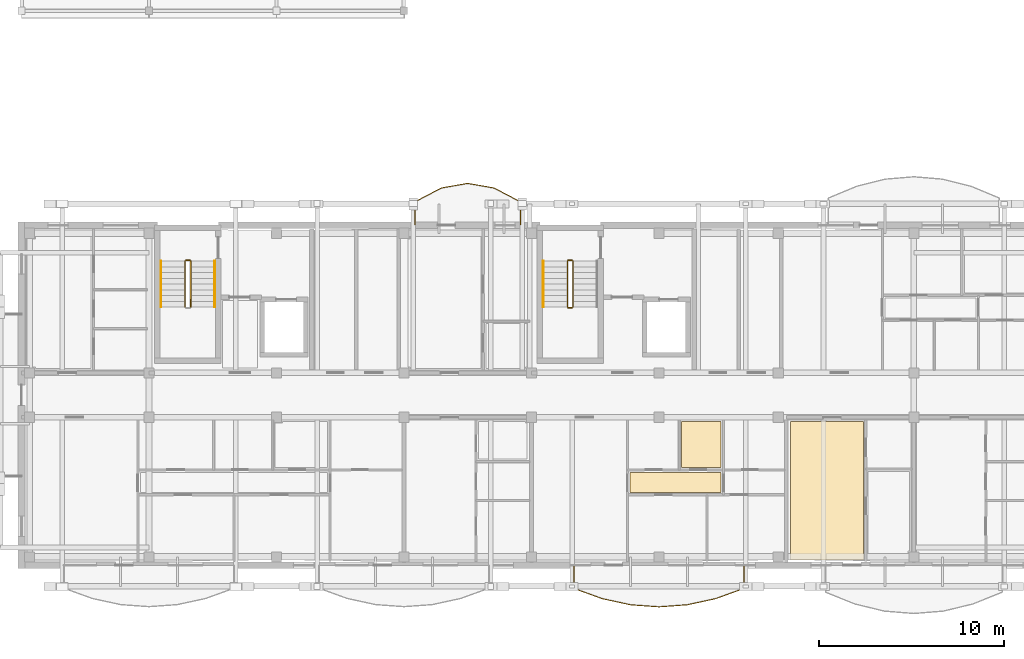
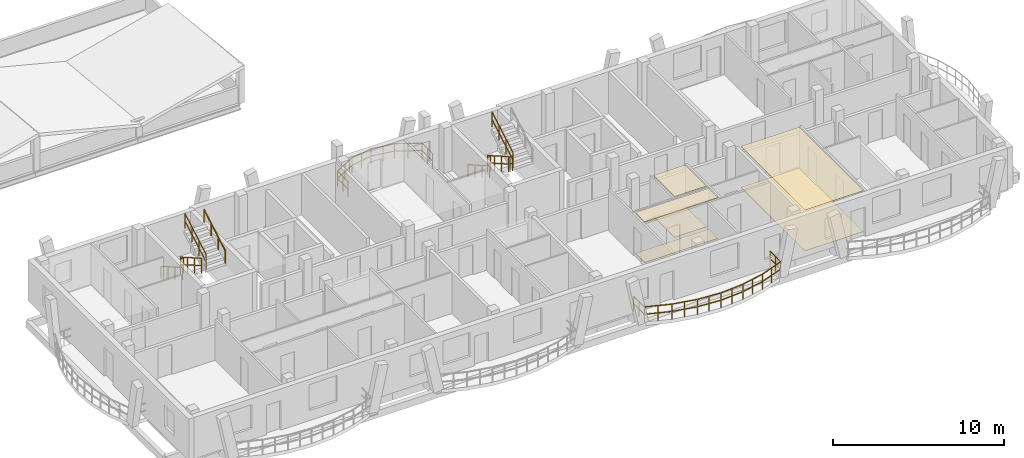
# One storey, part 40 of 50: 12 railings, 6 coverings.
"""IFC4 building model written with IfcOpenShell, lengths in metres."""

from ifc_helpers import new_model, si_unit, direction, frame, origin, origin_2d, place, context, subcontext, project, spatial, polyline, rectangle, outline, extrude, material, layer, layer_set, type_object, element, save


model = new_model("IFC4")

# Units and contexts
model_context = context("Model", 3, precision=1e-05, world=origin(), true_north=direction((0.0, 1.0)))
body_context = subcontext(model_context, "Body", "Model", "MODEL_VIEW")
ifc_project = project(units=[si_unit("LENGTHUNIT", "METRE"), si_unit("AREAUNIT", "SQUARE_METRE"), si_unit("VOLUMEUNIT", "CUBIC_METRE"), si_unit("PLANEANGLEUNIT", "RADIAN"), si_unit("MASSUNIT", "GRAM", prefix="KILO")], contexts=[model_context])

# Site, building, storey
site_placement = place(None, origin())
site = spatial("IfcSite", under=ifc_project, at=site_placement, CompositionType="ELEMENT")
building_placement = place(site_placement, origin())
building = spatial("IfcBuilding", under=site, at=building_placement, Name="Zavelmont Quarter", CompositionType="ELEMENT")
storey_placement = place(building_placement, frame((0.0, 0.0, 11.199951171875)))
storey = spatial("IfcBuildingStorey", under=building, at=storey_placement, Name="L03", CompositionType="ELEMENT", Elevation=11.199951171875)

# Coverings
ifc_material_1 = material(Name="Perforated acoustic gypsum board")
ifc_layer_1 = layer(ifc_material_1, 0.02490234375)
ifc_layer_set_1 = layer_set([ifc_layer_1], Name="Perforated acoustic gypsum board")
covering_type_1 = type_object("IfcCoveringType", Name="CV-CL01", PredefinedType="CEILING", material=ifc_layer_set_1)
covering_1_placement = place(storey_placement, frame((0.0, 0.0, 2.9150390625)))
element("IfcCovering", 1, at=covering_1_placement, inside=storey, type_object=covering_type_1, Name="L03 Residents Study Lounge acoustic ceiling", PredefinedType="CEILING", context=body_context, shape_type="SweptSolid", body=[
    extrude(outline(polyline([(41.6298828125, 7.77001953125), (45.570068359375, 7.77001953125), (45.570068359375, 0.280029296875), (41.6298828125, 0.280029296875), (41.6298828125, 7.77001953125)])), origin(), (0.0, 0.0, 1.0), 0.02490234375),
])
ifc_material_2 = material(Name="Slatted European ash acoustic baffle ceiling")
ifc_layer_2 = layer(ifc_material_2, 0.0400390625)
ifc_layer_set_2 = layer_set([ifc_layer_2], Name="Slatted European ash acoustic baffle ceiling")
covering_type_2 = type_object("IfcCoveringType", Name="CV-CL02", PredefinedType="CEILING", material=ifc_layer_set_2)
covering_2_placement = place(storey_placement, frame((0.0, 0.0, 2.900146484375)))
element("IfcCovering", 2, at=covering_2_placement, inside=storey, type_object=covering_type_2, Name="L03 Apartment Hall acoustic ceiling", PredefinedType="CEILING", context=body_context, shape_type="SweptSolid", body=[
    extrude(outline(polyline([(32.929931640625, 5.02001953125), (37.8701171875, 5.02001953125), (37.8701171875, 3.929931640625), (32.929931640625, 3.929931640625), (32.929931640625, 5.02001953125)])), origin(), (0.0, 0.0, 1.0), 0.039794921875),
])
ifc_material_3 = material(Name="Moisture-resistant painted gypsum ceiling")
ifc_layer_3 = layer(ifc_material_3, 0.02001953125)
ifc_layer_set_3 = layer_set([ifc_layer_3], Name="Moisture-resistant painted gypsum ceiling")
covering_type_3 = type_object("IfcCoveringType", Name="CV-CL04", PredefinedType="CEILING", material=ifc_layer_set_3)
covering_3_placement = place(storey_placement, frame((0.0, 0.0, 2.920166015625)))
element("IfcCovering", 3, at=covering_3_placement, inside=storey, type_object=covering_type_3, Name="L03 Bathroom acoustic ceiling", PredefinedType="CEILING", context=body_context, shape_type="SweptSolid", body=[
    extrude(outline(polyline([(35.72998046875, 7.77001953125), (37.8701171875, 7.77001953125), (37.8701171875, 5.280029296875), (35.72998046875, 5.280029296875), (35.72998046875, 7.77001953125)])), origin(), (0.0, 0.0, 1.0), 0.019775390625),
])
ifc_material_4 = material(Name="Engineered European oak parquet")
ifc_layer_4 = layer(ifc_material_4, 0.02197265625)
ifc_layer_set_4 = layer_set([ifc_layer_4], Name="Engineered European oak parquet")
covering_type_4 = type_object("IfcCoveringType", Name="CV-FL01", PredefinedType="FLOORING", material=ifc_layer_set_4)
covering_4_placement = place(storey_placement, origin())
element("IfcCovering", 4, at=covering_4_placement, inside=storey, type_object=covering_type_4, Name="L03 Residents Study Lounge floor finish", PredefinedType="FLOORING", context=body_context, shape_type="SweptSolid", body=[
    extrude(outline(polyline([(41.6298828125, 7.77001953125), (45.570068359375, 7.77001953125), (45.570068359375, 0.280029296875), (41.6298828125, 0.280029296875), (41.6298828125, 7.77001953125)])), origin(), (0.0, 0.0, 1.0), 0.02197265625),
])
ifc_material_5 = material(Name="Honed Belgian bluestone tile", Category="masonry")
ifc_layer_5 = layer(ifc_material_5, 0.030029296875)
ifc_layer_set_5 = layer_set([ifc_layer_5], Name="Honed Belgian bluestone tile")
covering_type_5 = type_object("IfcCoveringType", Name="CV-FL02", PredefinedType="FLOORING", material=ifc_layer_set_5)
covering_5_placement = place(storey_placement, origin())
element("IfcCovering", 5, at=covering_5_placement, inside=storey, type_object=covering_type_5, Name="L03 Apartment Hall floor finish", PredefinedType="FLOORING", context=body_context, shape_type="SweptSolid", body=[
    extrude(outline(polyline([(32.929931640625, 5.02001953125), (37.8701171875, 5.02001953125), (37.8701171875, 3.929931640625), (32.929931640625, 3.929931640625), (32.929931640625, 5.02001953125)])), origin(), (0.0, 0.0, 1.0), 0.030029296875),
])
ifc_material_6 = material(Name="Slip-resistant porcelain tile")
ifc_layer_6 = layer(ifc_material_6, 0.02587890625)
ifc_layer_set_6 = layer_set([ifc_layer_6], Name="Slip-resistant porcelain tile")
covering_type_6 = type_object("IfcCoveringType", Name="CV-FL04", PredefinedType="FLOORING", material=ifc_layer_set_6)
covering_6_placement = place(storey_placement, origin())
element("IfcCovering", 6, at=covering_6_placement, inside=storey, type_object=covering_type_6, Name="L03 Bathroom floor finish", PredefinedType="FLOORING", context=body_context, shape_type="SweptSolid", body=[
    extrude(outline(polyline([(35.72998046875, 7.77001953125), (37.8701171875, 7.77001953125), (37.8701171875, 5.280029296875), (35.72998046875, 5.280029296875), (35.72998046875, 7.77001953125)])), origin(), (0.0, 0.0, 1.0), 0.026123046875),
])

# Railings
ifc_material_7 = material(Name="Powder-coated steel and tempered double safety glass", Category="steel")
railing_type_1 = type_object("IfcRailingType", Name="RL-BAL1", PredefinedType="BALUSTRADE", material=ifc_material_7)
railing_1_placement = place(storey_placement, frame((29.90283203125, -0.02001953125, 0.0)))
element("IfcRailing", 7, at=railing_1_placement, inside=storey, type_object=railing_type_1, Name="L03 Block A curved balcony guard RL-BAL1", PredefinedType="BALUSTRADE", context=body_context, shape_type="SweptSolid", body=[
    extrude(rectangle(XDim=0.048095703125, YDim=0.048095703125, at=origin_2d()), frame((0.0, 0.0, 1.076171875), z_axis=(0.0, -1.0, 0.0), x_axis=(1.0, 0.0, 0.0)), (0.0, 0.0, 1.0), 1.24658203125),
    extrude(rectangle(XDim=0.048095703125, YDim=0.048095703125, at=origin_2d()), frame((0.0, 0.0, 0.550048828125), z_axis=(0.0, -1.0, 0.0), x_axis=(1.0, 0.0, 0.0)), (0.0, 0.0, 1.0), 1.24658203125),
    extrude(rectangle(XDim=0.048095703125, YDim=0.048095703125, at=origin_2d()), frame((0.0, -1.24658203125, 1.076171875), z_axis=(0.940634988502, -0.339419826184, 0.0), x_axis=(0.339419826184, 0.940634988502, 0.0)), (0.0, 0.0, 1.0), 1.629150390625),
    extrude(rectangle(XDim=0.048095703125, YDim=0.048095703125, at=origin_2d()), frame((0.0, -1.24658203125, 0.550048828125), z_axis=(0.940634988502, -0.339419826184, 0.0), x_axis=(0.339419826184, 0.940634988502, 0.0)), (0.0, 0.0, 1.0), 1.629150390625),
    extrude(rectangle(XDim=0.048095703125, YDim=0.048095703125, at=origin_2d()), frame((1.532470703125, -1.799560546875, 1.076171875), z_axis=(0.97734891529, -0.211634349248, 0.0), x_axis=(0.211634349248, 0.97734891529, 0.0)), (0.0, 0.0, 1.0), 1.567626953125),
    extrude(rectangle(XDim=0.048095703125, YDim=0.048095703125, at=origin_2d()), frame((1.532470703125, -1.799560546875, 0.550048828125), z_axis=(0.97734891529, -0.211634349248, 0.0), x_axis=(0.211634349248, 0.97734891529, 0.0)), (0.0, 0.0, 1.0), 1.567626953125),
    extrude(rectangle(XDim=0.048095703125, YDim=0.048095703125, at=origin_2d()), frame((3.064697265625, -2.13134765625, 1.076171875), z_axis=(0.997406001322, -0.071981028931, 0.0), x_axis=(0.071981028931, 0.997406001322, 0.0)), (0.0, 0.0, 1.0), 1.536376953125),
    extrude(rectangle(XDim=0.048095703125, YDim=0.048095703125, at=origin_2d()), frame((3.064697265625, -2.13134765625, 0.550048828125), z_axis=(0.997406001322, -0.071981028931, 0.0), x_axis=(0.071981028931, 0.997406001322, 0.0)), (0.0, 0.0, 1.0), 1.536376953125),
    extrude(rectangle(XDim=0.048095703125, YDim=0.048095703125, at=origin_2d()), frame((4.59716796875, -2.241943359375, 1.076171875), z_axis=(0.997406001322, 0.071981028931, 0.0), x_axis=(-0.071981028931, 0.997406001322, 0.0)), (0.0, 0.0, 1.0), 1.536376953125),
    extrude(rectangle(XDim=0.048095703125, YDim=0.048095703125, at=origin_2d()), frame((4.59716796875, -2.241943359375, 0.550048828125), z_axis=(0.997406001322, 0.071981028931, 0.0), x_axis=(-0.071981028931, 0.997406001322, 0.0)), (0.0, 0.0, 1.0), 1.536376953125),
    extrude(rectangle(XDim=0.048095703125, YDim=0.048095703125, at=origin_2d()), frame((6.129638671875, -2.13134765625, 1.076171875), z_axis=(0.97734891529, 0.211634349248, 0.0), x_axis=(-0.211634349248, 0.97734891529, 0.0)), (0.0, 0.0, 1.0), 1.567626953125),
    extrude(rectangle(XDim=0.048095703125, YDim=0.048095703125, at=origin_2d()), frame((6.129638671875, -2.13134765625, 0.550048828125), z_axis=(0.97734891529, 0.211634349248, 0.0), x_axis=(-0.211634349248, 0.97734891529, 0.0)), (0.0, 0.0, 1.0), 1.567626953125),
    extrude(rectangle(XDim=0.048095703125, YDim=0.048095703125, at=origin_2d()), frame((7.661865234375, -1.799560546875, 1.076171875), z_axis=(0.940634988502, 0.339419826184, 0.0), x_axis=(-0.339419826184, 0.940634988502, 0.0)), (0.0, 0.0, 1.0), 1.629150390625),
    extrude(rectangle(XDim=0.048095703125, YDim=0.048095703125, at=origin_2d()), frame((7.661865234375, -1.799560546875, 0.550048828125), z_axis=(0.940634988502, 0.339419826184, 0.0), x_axis=(-0.339419826184, 0.940634988502, 0.0)), (0.0, 0.0, 1.0), 1.629150390625),
    extrude(rectangle(XDim=0.048095703125, YDim=0.048095703125, at=origin_2d()), frame((9.1943359375, -1.24658203125, 1.076171875), z_axis=(0.0, 1.0, 0.0), x_axis=(-1.0, 0.0, 0.0)), (0.0, 0.0, 1.0), 1.24658203125),
    extrude(rectangle(XDim=0.048095703125, YDim=0.048095703125, at=origin_2d()), frame((9.1943359375, -1.24658203125, 0.550048828125), z_axis=(0.0, 1.0, 0.0), x_axis=(-1.0, 0.0, 0.0)), (0.0, 0.0, 1.0), 1.24658203125),
    extrude(rectangle(XDim=0.0419921875, YDim=0.0419921875, at=origin_2d()), origin(), (0.0, 0.0, 1.0), 1.052001953125),
    extrude(rectangle(XDim=0.0419921875, YDim=0.0419921875, at=origin_2d()), frame((0.0, -0.623291015625, 0.0)), (0.0, 0.0, 1.0), 1.052001953125),
    extrude(rectangle(XDim=0.0419921875, YDim=0.0419921875, at=origin_2d()), frame((0.0, -1.24658203125, 0.0)), (0.0, 0.0, 1.0), 1.052001953125),
    extrude(rectangle(XDim=0.0419921875, YDim=0.0419921875, at=origin_2d()), frame((0.76611328125, -1.52294921875, 0.0)), (0.0, 0.0, 1.0), 1.052001953125),
    extrude(rectangle(XDim=0.0419921875, YDim=0.0419921875, at=origin_2d()), frame((1.532470703125, -1.799560546875, 0.0)), (0.0, 0.0, 1.0), 1.052001953125),
    extrude(rectangle(XDim=0.0419921875, YDim=0.0419921875, at=origin_2d()), frame((2.298583984375, -1.96533203125, 0.0)), (0.0, 0.0, 1.0), 1.052001953125),
    extrude(rectangle(XDim=0.0419921875, YDim=0.0419921875, at=origin_2d()), frame((3.064697265625, -2.13134765625, 0.0)), (0.0, 0.0, 1.0), 1.052001953125),
    extrude(rectangle(XDim=0.0419921875, YDim=0.0419921875, at=origin_2d()), frame((3.8310546875, -2.1865234375, 0.0)), (0.0, 0.0, 1.0), 1.052001953125),
    extrude(rectangle(XDim=0.0419921875, YDim=0.0419921875, at=origin_2d()), frame((4.59716796875, -2.241943359375, 0.0)), (0.0, 0.0, 1.0), 1.052001953125),
    extrude(rectangle(XDim=0.0419921875, YDim=0.0419921875, at=origin_2d()), frame((5.36328125, -2.1865234375, 0.0)), (0.0, 0.0, 1.0), 1.052001953125),
    extrude(rectangle(XDim=0.0419921875, YDim=0.0419921875, at=origin_2d()), frame((6.129638671875, -2.13134765625, 0.0)), (0.0, 0.0, 1.0), 1.052001953125),
    extrude(rectangle(XDim=0.0419921875, YDim=0.0419921875, at=origin_2d()), frame((6.895751953125, -1.96533203125, 0.0)), (0.0, 0.0, 1.0), 1.052001953125),
    extrude(rectangle(XDim=0.0419921875, YDim=0.0419921875, at=origin_2d()), frame((7.661865234375, -1.799560546875, 0.0)), (0.0, 0.0, 1.0), 1.052001953125),
    extrude(rectangle(XDim=0.0419921875, YDim=0.0419921875, at=origin_2d()), frame((8.42822265625, -1.52294921875, 0.0)), (0.0, 0.0, 1.0), 1.052001953125),
    extrude(rectangle(XDim=0.0419921875, YDim=0.0419921875, at=origin_2d()), frame((9.1943359375, -1.24658203125, 0.0)), (0.0, 0.0, 1.0), 1.052001953125),
    extrude(rectangle(XDim=0.0419921875, YDim=0.0419921875, at=origin_2d()), frame((9.1943359375, -0.623291015625, 0.0)), (0.0, 0.0, 1.0), 1.052001953125),
    extrude(rectangle(XDim=0.0419921875, YDim=0.0419921875, at=origin_2d()), frame((9.1943359375, 0.0, 0.0)), (0.0, 0.0, 1.0), 1.052001953125),
])
railing_2_placement = place(storey_placement, frame((27.0, 18.419921875, 0.0)))
element("IfcRailing", 8, at=railing_2_placement, inside=storey, type_object=railing_type_1, Name="L03 Block A curved balcony guard RL-BAL1", PredefinedType="BALUSTRADE", context=body_context, shape_type="SweptSolid", body=[
    extrude(rectangle(XDim=0.048095703125, YDim=0.048095703125, at=origin_2d()), frame((0.0, 0.0, 1.076171875), z_axis=(0.0, 1.0, 0.0), x_axis=(-1.0, 0.0, 0.0)), (0.0, 0.0, 1.0), 1.246826171875),
    extrude(rectangle(XDim=0.048095703125, YDim=0.048095703125, at=origin_2d()), frame((0.0, 0.0, 0.550048828125), z_axis=(0.0, 1.0, 0.0), x_axis=(-1.0, 0.0, 0.0)), (0.0, 0.0, 1.0), 1.246826171875),
    extrude(rectangle(XDim=0.048095703125, YDim=0.048095703125, at=origin_2d()), frame((0.0, 1.246826171875, 1.076171875), z_axis=(-0.885861238658, 0.463950283806, 0.0), x_axis=(-0.463950283806, -0.885861238658, 0.0)), (0.0, 0.0, 1.0), 1.608642578125),
    extrude(rectangle(XDim=0.048095703125, YDim=0.048095703125, at=origin_2d()), frame((0.0, 1.246826171875, 0.550048828125), z_axis=(-0.885861238658, 0.463950283806, 0.0), x_axis=(-0.463950283806, -0.885861238658, 0.0)), (0.0, 0.0, 1.0), 1.608642578125),
    extrude(rectangle(XDim=0.048095703125, YDim=0.048095703125, at=origin_2d()), frame((-1.425048828125, 1.9931640625, 1.076171875), z_axis=(-0.985072705183, 0.172138797205, 0.0), x_axis=(-0.172138797205, -0.985072705183, 0.0)), (0.0, 0.0, 1.0), 1.446533203125),
    extrude(rectangle(XDim=0.048095703125, YDim=0.048095703125, at=origin_2d()), frame((-1.425048828125, 1.9931640625, 0.550048828125), z_axis=(-0.985072705183, 0.172138797205, 0.0), x_axis=(-0.172138797205, -0.985072705183, 0.0)), (0.0, 0.0, 1.0), 1.446533203125),
    extrude(rectangle(XDim=0.048095703125, YDim=0.048095703125, at=origin_2d()), frame((-2.85009765625, 2.2421875, 1.076171875), z_axis=(-0.985067703175, -0.172167418992, 0.0), x_axis=(0.172167418992, -0.985067703175, 0.0)), (0.0, 0.0, 1.0), 1.4462890625),
    extrude(rectangle(XDim=0.048095703125, YDim=0.048095703125, at=origin_2d()), frame((-2.85009765625, 2.2421875, 0.550048828125), z_axis=(-0.985067703175, -0.172167418992, 0.0), x_axis=(0.172167418992, -0.985067703175, 0.0)), (0.0, 0.0, 1.0), 1.4462890625),
    extrude(rectangle(XDim=0.048095703125, YDim=0.048095703125, at=origin_2d()), frame((-4.27490234375, 1.9931640625, 1.076171875), z_axis=(-0.885861238658, -0.463950283806, 0.0), x_axis=(0.463950283806, -0.885861238658, 0.0)), (0.0, 0.0, 1.0), 1.608642578125),
    extrude(rectangle(XDim=0.048095703125, YDim=0.048095703125, at=origin_2d()), frame((-4.27490234375, 1.9931640625, 0.550048828125), z_axis=(-0.885861238658, -0.463950283806, 0.0), x_axis=(0.463950283806, -0.885861238658, 0.0)), (0.0, 0.0, 1.0), 1.608642578125),
    extrude(rectangle(XDim=0.048095703125, YDim=0.048095703125, at=origin_2d()), frame((-5.699951171875, 1.246826171875, 1.076171875), z_axis=(0.0, -1.0, 0.0), x_axis=(1.0, 0.0, 0.0)), (0.0, 0.0, 1.0), 1.246826171875),
    extrude(rectangle(XDim=0.048095703125, YDim=0.048095703125, at=origin_2d()), frame((-5.699951171875, 1.246826171875, 0.550048828125), z_axis=(0.0, -1.0, 0.0), x_axis=(1.0, 0.0, 0.0)), (0.0, 0.0, 1.0), 1.246826171875),
    extrude(rectangle(XDim=0.0419921875, YDim=0.0419921875, at=origin_2d()), origin(), (0.0, 0.0, 1.0), 1.052001953125),
    extrude(rectangle(XDim=0.0419921875, YDim=0.0419921875, at=origin_2d()), frame((0.0, 0.62353515625, 0.0)), (0.0, 0.0, 1.0), 1.052001953125),
    extrude(rectangle(XDim=0.0419921875, YDim=0.0419921875, at=origin_2d()), frame((0.0, 1.246826171875, 0.0)), (0.0, 0.0, 1.0), 1.052001953125),
    extrude(rectangle(XDim=0.0419921875, YDim=0.0419921875, at=origin_2d()), frame((-0.71240234375, 1.6201171875, 0.0)), (0.0, 0.0, 1.0), 1.052001953125),
    extrude(rectangle(XDim=0.0419921875, YDim=0.0419921875, at=origin_2d()), frame((-1.425048828125, 1.9931640625, 0.0)), (0.0, 0.0, 1.0), 1.052001953125),
    extrude(rectangle(XDim=0.0419921875, YDim=0.0419921875, at=origin_2d()), frame((-2.1376953125, 2.11767578125, 0.0)), (0.0, 0.0, 1.0), 1.052001953125),
    extrude(rectangle(XDim=0.0419921875, YDim=0.0419921875, at=origin_2d()), frame((-2.85009765625, 2.2421875, 0.0)), (0.0, 0.0, 1.0), 1.052001953125),
    extrude(rectangle(XDim=0.0419921875, YDim=0.0419921875, at=origin_2d()), frame((-3.5625, 2.11767578125, 0.0)), (0.0, 0.0, 1.0), 1.052001953125),
    extrude(rectangle(XDim=0.0419921875, YDim=0.0419921875, at=origin_2d()), frame((-4.27490234375, 1.9931640625, 0.0)), (0.0, 0.0, 1.0), 1.052001953125),
    extrude(rectangle(XDim=0.0419921875, YDim=0.0419921875, at=origin_2d()), frame((-4.9873046875, 1.6201171875, 0.0)), (0.0, 0.0, 1.0), 1.052001953125),
    extrude(rectangle(XDim=0.0419921875, YDim=0.0419921875, at=origin_2d()), frame((-5.699951171875, 1.246826171875, 0.0)), (0.0, 0.0, 1.0), 1.052001953125),
    extrude(rectangle(XDim=0.0419921875, YDim=0.0419921875, at=origin_2d()), frame((-5.699951171875, 0.62353515625, 0.0)), (0.0, 0.0, 1.0), 1.052001953125),
    extrude(rectangle(XDim=0.0419921875, YDim=0.0419921875, at=origin_2d()), frame((-5.699951171875, 0.0, 0.0)), (0.0, 0.0, 1.0), 1.052001953125),
])
ifc_material_8 = material(Name="Powder-coated steel stair guardrail", Category="steel")
railing_type_2 = type_object("IfcRailingType", Name="RL-GRD1", PredefinedType="GUARDRAIL", material=ifc_material_8)
railing_3_placement = place(storey_placement, frame((8.85009765625, 16.449951171875, 0.177734375)))
element("IfcRailing", 9, at=railing_3_placement, inside=storey, type_object=railing_type_2, Name="L03 ST01 stair guardrail 1", PredefinedType="GUARDRAIL", context=body_context, shape_type="SweptSolid", body=[
    extrude(rectangle(XDim=0.048095703125, YDim=0.048095703125, at=origin_2d()), frame((0.0, 0.0, 1.076171875), z_axis=(0.0, -0.867453774394, 0.497517787913), x_axis=(1.0, 0.0, 0.0)), (0.0, 0.0, 1.0), 2.85888671875),
    extrude(rectangle(XDim=0.048095703125, YDim=0.048095703125, at=origin_2d()), frame((0.0, 0.0, 0.550048828125), z_axis=(0.0, -0.867453774394, 0.497517787913), x_axis=(1.0, 0.0, 0.0)), (0.0, 0.0, 1.0), 2.85888671875),
    extrude(rectangle(XDim=0.0419921875, YDim=0.0419921875, at=origin_2d()), origin(), (0.0, 0.0, 1.0), 1.052001953125),
    extrude(rectangle(XDim=0.0419921875, YDim=0.0419921875, at=origin_2d()), frame((0.0, -0.82666015625, 0.47412109375)), (0.0, 0.0, 1.0), 1.052001953125),
    extrude(rectangle(XDim=0.0419921875, YDim=0.0419921875, at=origin_2d()), frame((0.0, -1.6533203125, 0.9482421875)), (0.0, 0.0, 1.0), 1.052001953125),
    extrude(rectangle(XDim=0.0419921875, YDim=0.0419921875, at=origin_2d()), frame((0.0, -2.47998046875, 1.42236328125)), (0.0, 0.0, 1.0), 1.052001953125),
])
railing_4_placement = place(storey_placement, frame((9.14990234375, 13.969970703125, 1.77783203125)))
element("IfcRailing", 10, at=railing_4_placement, inside=storey, type_object=railing_type_2, Name="L03 ST01 stair guardrail 3", PredefinedType="GUARDRAIL", context=body_context, shape_type="SweptSolid", body=[
    extrude(rectangle(XDim=0.048095703125, YDim=0.048095703125, at=origin_2d()), frame((0.0, 0.0, 1.076171875), z_axis=(0.0, 0.867490628297, 0.497453525283), x_axis=(-1.0, 0.0, 0.0)), (0.0, 0.0, 1.0), 2.85888671875),
    extrude(rectangle(XDim=0.048095703125, YDim=0.048095703125, at=origin_2d()), frame((0.0, 0.0, 0.550048828125), z_axis=(0.0, 0.867490628297, 0.497453525283), x_axis=(-1.0, 0.0, 0.0)), (0.0, 0.0, 1.0), 2.85888671875),
    extrude(rectangle(XDim=0.0419921875, YDim=0.0419921875, at=origin_2d()), origin(), (0.0, 0.0, 1.0), 1.052001953125),
    extrude(rectangle(XDim=0.0419921875, YDim=0.0419921875, at=origin_2d()), frame((0.0, 0.82666015625, 0.47412109375)), (0.0, 0.0, 1.0), 1.052001953125),
    extrude(rectangle(XDim=0.0419921875, YDim=0.0419921875, at=origin_2d()), frame((0.0, 1.6533203125, 0.947998046875)), (0.0, 0.0, 1.0), 1.052001953125),
    extrude(rectangle(XDim=0.0419921875, YDim=0.0419921875, at=origin_2d()), frame((0.0, 2.47998046875, 1.422119140625)), (0.0, 0.0, 1.0), 1.052001953125),
])
railing_5_placement = place(storey_placement, frame((8.89990234375, 16.5, 0.0)))
element("IfcRailing", 11, at=railing_5_placement, inside=storey, type_object=railing_type_2, Name="L03 ST01 stair guardrail 4", PredefinedType="GUARDRAIL", context=body_context, shape_type="SweptSolid", body=[
    extrude(rectangle(XDim=0.048095703125, YDim=0.048095703125, at=origin_2d()), frame((0.0, 0.0, 1.076171875), z_axis=(1.0, 0.0, 0.0), x_axis=(0.0, 1.0, 0.0)), (0.0, 0.0, 1.0), 0.2001953125),
    extrude(rectangle(XDim=0.048095703125, YDim=0.048095703125, at=origin_2d()), frame((0.0, 0.0, 0.550048828125), z_axis=(1.0, 0.0, 0.0), x_axis=(0.0, 1.0, 0.0)), (0.0, 0.0, 1.0), 0.2001953125),
    extrude(rectangle(XDim=0.0419921875, YDim=0.0419921875, at=origin_2d()), origin(), (0.0, 0.0, 1.0), 1.052001953125),
    extrude(rectangle(XDim=0.0419921875, YDim=0.0419921875, at=origin_2d()), frame((0.2001953125, 0.0, 0.0)), (0.0, 0.0, 1.0), 1.052001953125),
])
railing_6_placement = place(storey_placement, frame((29.550048828125, 16.449951171875, 0.177734375)))
element("IfcRailing", 12, at=railing_6_placement, inside=storey, type_object=railing_type_2, Name="L03 ST02 stair guardrail 1", PredefinedType="GUARDRAIL", context=body_context, shape_type="SweptSolid", body=[
    extrude(rectangle(XDim=0.048095703125, YDim=0.048095703125, at=origin_2d()), frame((0.0, 0.0, 1.076171875), z_axis=(0.0, -0.867453774394, 0.497517787913), x_axis=(1.0, 0.0, 0.0)), (0.0, 0.0, 1.0), 2.85888671875),
    extrude(rectangle(XDim=0.048095703125, YDim=0.048095703125, at=origin_2d()), frame((0.0, 0.0, 0.550048828125), z_axis=(0.0, -0.867453774394, 0.497517787913), x_axis=(1.0, 0.0, 0.0)), (0.0, 0.0, 1.0), 2.85888671875),
    extrude(rectangle(XDim=0.0419921875, YDim=0.0419921875, at=origin_2d()), origin(), (0.0, 0.0, 1.0), 1.052001953125),
    extrude(rectangle(XDim=0.0419921875, YDim=0.0419921875, at=origin_2d()), frame((0.0, -0.82666015625, 0.47412109375)), (0.0, 0.0, 1.0), 1.052001953125),
    extrude(rectangle(XDim=0.0419921875, YDim=0.0419921875, at=origin_2d()), frame((0.0, -1.6533203125, 0.9482421875)), (0.0, 0.0, 1.0), 1.052001953125),
    extrude(rectangle(XDim=0.0419921875, YDim=0.0419921875, at=origin_2d()), frame((0.0, -2.47998046875, 1.42236328125)), (0.0, 0.0, 1.0), 1.052001953125),
])
railing_7_placement = place(storey_placement, frame((29.60009765625, 13.919921875, 1.60009765625)))
element("IfcRailing", 13, at=railing_7_placement, inside=storey, type_object=railing_type_2, Name="L03 ST02 stair guardrail 2", PredefinedType="GUARDRAIL", context=body_context, shape_type="SweptSolid", body=[
    extrude(rectangle(XDim=0.048095703125, YDim=0.048095703125, at=origin_2d()), frame((0.0, 0.0, 1.076171875), z_axis=(1.0, 0.0, 0.0), x_axis=(0.0, 1.0, 0.0)), (0.0, 0.0, 1.0), 0.199951171875),
    extrude(rectangle(XDim=0.048095703125, YDim=0.048095703125, at=origin_2d()), frame((0.0, 0.0, 0.550048828125), z_axis=(1.0, 0.0, 0.0), x_axis=(0.0, 1.0, 0.0)), (0.0, 0.0, 1.0), 0.199951171875),
    extrude(rectangle(XDim=0.0419921875, YDim=0.0419921875, at=origin_2d()), origin(), (0.0, 0.0, 1.0), 1.052001953125),
    extrude(rectangle(XDim=0.0419921875, YDim=0.0419921875, at=origin_2d()), frame((0.199951171875, 0.0, 0.0)), (0.0, 0.0, 1.0), 1.052001953125),
])
railing_8_placement = place(storey_placement, frame((29.85009765625, 13.969970703125, 1.77783203125)))
element("IfcRailing", 14, at=railing_8_placement, inside=storey, type_object=railing_type_2, Name="L03 ST02 stair guardrail 3", PredefinedType="GUARDRAIL", context=body_context, shape_type="SweptSolid", body=[
    extrude(rectangle(XDim=0.048095703125, YDim=0.048095703125, at=origin_2d()), frame((0.0, 0.0, 1.076171875), z_axis=(0.0, 0.867490628297, 0.497453525283), x_axis=(-1.0, 0.0, 0.0)), (0.0, 0.0, 1.0), 2.85888671875),
    extrude(rectangle(XDim=0.048095703125, YDim=0.048095703125, at=origin_2d()), frame((0.0, 0.0, 0.550048828125), z_axis=(0.0, 0.867490628297, 0.497453525283), x_axis=(-1.0, 0.0, 0.0)), (0.0, 0.0, 1.0), 2.85888671875),
    extrude(rectangle(XDim=0.0419921875, YDim=0.0419921875, at=origin_2d()), origin(), (0.0, 0.0, 1.0), 1.052001953125),
    extrude(rectangle(XDim=0.0419921875, YDim=0.0419921875, at=origin_2d()), frame((0.0, 0.82666015625, 0.47412109375)), (0.0, 0.0, 1.0), 1.052001953125),
    extrude(rectangle(XDim=0.0419921875, YDim=0.0419921875, at=origin_2d()), frame((0.0, 1.6533203125, 0.947998046875)), (0.0, 0.0, 1.0), 1.052001953125),
    extrude(rectangle(XDim=0.0419921875, YDim=0.0419921875, at=origin_2d()), frame((0.0, 2.47998046875, 1.422119140625)), (0.0, 0.0, 1.0), 1.052001953125),
])
railing_9_placement = place(storey_placement, frame((29.60009765625, 16.5, 0.0)))
element("IfcRailing", 15, at=railing_9_placement, inside=storey, type_object=railing_type_2, Name="L03 ST02 stair guardrail 4", PredefinedType="GUARDRAIL", context=body_context, shape_type="SweptSolid", body=[
    extrude(rectangle(XDim=0.048095703125, YDim=0.048095703125, at=origin_2d()), frame((0.0, 0.0, 1.076171875), z_axis=(1.0, 0.0, 0.0), x_axis=(0.0, 1.0, 0.0)), (0.0, 0.0, 1.0), 0.199951171875),
    extrude(rectangle(XDim=0.048095703125, YDim=0.048095703125, at=origin_2d()), frame((0.0, 0.0, 0.550048828125), z_axis=(1.0, 0.0, 0.0), x_axis=(0.0, 1.0, 0.0)), (0.0, 0.0, 1.0), 0.199951171875),
    extrude(rectangle(XDim=0.0419921875, YDim=0.0419921875, at=origin_2d()), origin(), (0.0, 0.0, 1.0), 1.052001953125),
    extrude(rectangle(XDim=0.0419921875, YDim=0.0419921875, at=origin_2d()), frame((0.199951171875, 0.0, 0.0)), (0.0, 0.0, 1.0), 1.052001953125),
])
ifc_material_9 = material(Name="Brushed stainless-steel wall handrail", Category="steel")
railing_type_3 = type_object("IfcRailingType", Name="RL-HND1", PredefinedType="HANDRAIL", material=ifc_material_9)
railing_10_placement = place(storey_placement, frame((7.550048828125, 16.449951171875, 0.177734375)))
element("IfcRailing", 16, at=railing_10_placement, inside=storey, type_object=railing_type_3, Name="L03 ST01 stair handrail 1", PredefinedType="HANDRAIL", context=body_context, shape_type="SweptSolid", body=[
    extrude(rectangle(XDim=0.048095703125, YDim=0.048095703125, at=origin_2d()), frame((0.0, 0.0, 0.8759765625), z_axis=(0.0, -0.867453774394, 0.497517787913), x_axis=(1.0, 0.0, 0.0)), (0.0, 0.0, 1.0), 2.85888671875),
    extrude(rectangle(XDim=0.0419921875, YDim=0.0419921875, at=origin_2d()), origin(), (0.0, 0.0, 1.0), 0.851806640625),
    extrude(rectangle(XDim=0.0419921875, YDim=0.0419921875, at=origin_2d()), frame((0.0, -0.82666015625, 0.47412109375)), (0.0, 0.0, 1.0), 0.851806640625),
    extrude(rectangle(XDim=0.0419921875, YDim=0.0419921875, at=origin_2d()), frame((0.0, -1.6533203125, 0.9482421875)), (0.0, 0.0, 1.0), 0.851806640625),
    extrude(rectangle(XDim=0.0419921875, YDim=0.0419921875, at=origin_2d()), frame((0.0, -2.47998046875, 1.42236328125)), (0.0, 0.0, 1.0), 0.851806640625),
])
railing_11_placement = place(storey_placement, frame((10.449951171875, 13.969970703125, 1.77783203125)))
element("IfcRailing", 17, at=railing_11_placement, inside=storey, type_object=railing_type_3, Name="L03 ST01 stair handrail 2", PredefinedType="HANDRAIL", context=body_context, shape_type="SweptSolid", body=[
    extrude(rectangle(XDim=0.048095703125, YDim=0.048095703125, at=origin_2d()), frame((0.0, 0.0, 0.8759765625), z_axis=(0.0, 0.867490628297, 0.497453525283), x_axis=(-1.0, 0.0, 0.0)), (0.0, 0.0, 1.0), 2.85888671875),
    extrude(rectangle(XDim=0.0419921875, YDim=0.0419921875, at=origin_2d()), origin(), (0.0, 0.0, 1.0), 0.851806640625),
    extrude(rectangle(XDim=0.0419921875, YDim=0.0419921875, at=origin_2d()), frame((0.0, 0.82666015625, 0.47412109375)), (0.0, 0.0, 1.0), 0.851806640625),
    extrude(rectangle(XDim=0.0419921875, YDim=0.0419921875, at=origin_2d()), frame((0.0, 1.6533203125, 0.947998046875)), (0.0, 0.0, 1.0), 0.851806640625),
    extrude(rectangle(XDim=0.0419921875, YDim=0.0419921875, at=origin_2d()), frame((0.0, 2.47998046875, 1.422119140625)), (0.0, 0.0, 1.0), 0.851806640625),
])
railing_12_placement = place(storey_placement, frame((28.25, 16.449951171875, 0.177734375)))
element("IfcRailing", 18, at=railing_12_placement, inside=storey, type_object=railing_type_3, Name="L03 ST02 stair handrail 1", PredefinedType="HANDRAIL", context=body_context, shape_type="SweptSolid", body=[
    extrude(rectangle(XDim=0.048095703125, YDim=0.048095703125, at=origin_2d()), frame((0.0, 0.0, 0.8759765625), z_axis=(0.0, -0.867453774394, 0.497517787913), x_axis=(1.0, 0.0, 0.0)), (0.0, 0.0, 1.0), 2.85888671875),
    extrude(rectangle(XDim=0.0419921875, YDim=0.0419921875, at=origin_2d()), origin(), (0.0, 0.0, 1.0), 0.851806640625),
    extrude(rectangle(XDim=0.0419921875, YDim=0.0419921875, at=origin_2d()), frame((0.0, -0.82666015625, 0.47412109375)), (0.0, 0.0, 1.0), 0.851806640625),
    extrude(rectangle(XDim=0.0419921875, YDim=0.0419921875, at=origin_2d()), frame((0.0, -1.6533203125, 0.9482421875)), (0.0, 0.0, 1.0), 0.851806640625),
    extrude(rectangle(XDim=0.0419921875, YDim=0.0419921875, at=origin_2d()), frame((0.0, -2.47998046875, 1.42236328125)), (0.0, 0.0, 1.0), 0.851806640625),
])

save(model, "model.ifc")
